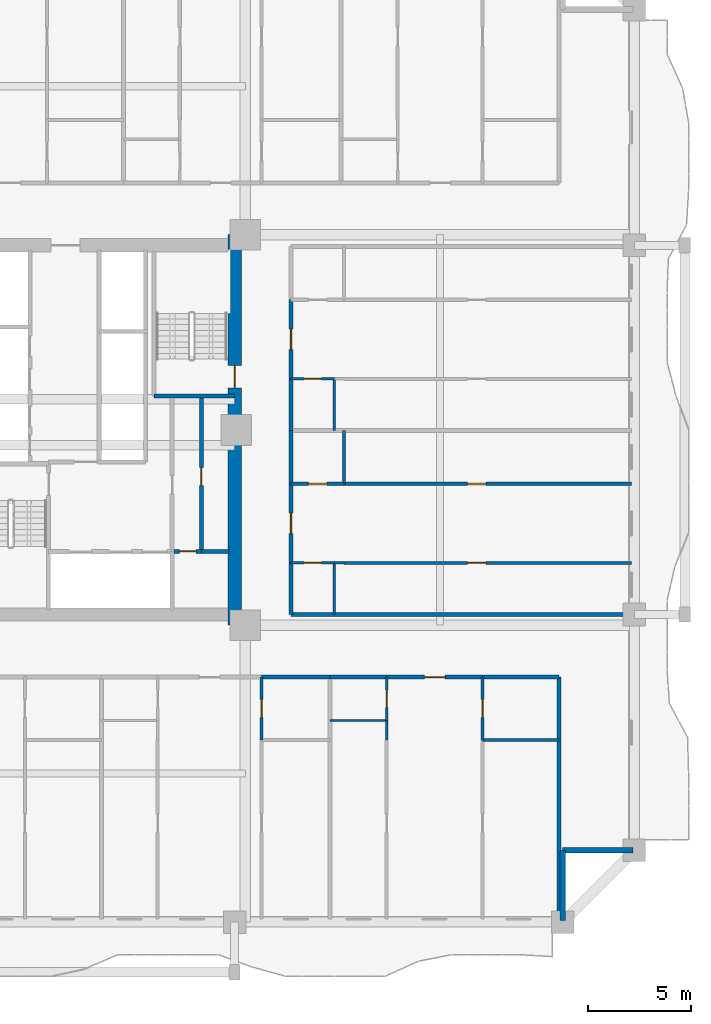
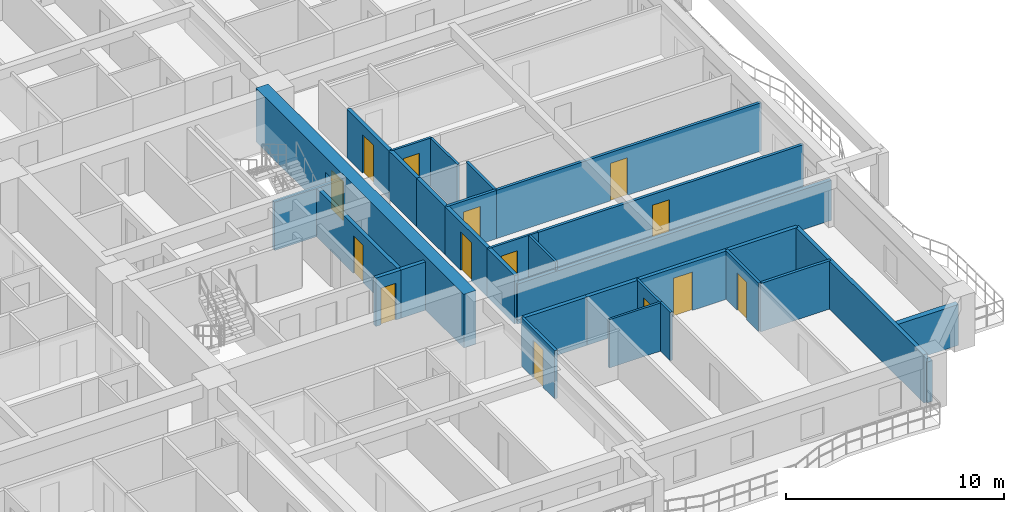
# One storey, part 5 of 15: 33 walls, 14 doors, 14 openings.
"""IFC4 building model written with IfcOpenShell, lengths in metres."""

from ifc_helpers import new_model, si_unit, direction, frame, frame_2d, origin, place, context, subcontext, project, spatial, rectangle, extrude, source, transform, mapped, material, layer, layer_set, type_object, element, fill, save


model = new_model("IFC4")

# Units and contexts
model_context = context("Model", 3, precision=1e-05, world=origin(), true_north=direction((0.0, 1.0)))
body_context = subcontext(model_context, "Body", "Model", "MODEL_VIEW")
ifc_project = project(units=[si_unit("LENGTHUNIT", "METRE"), si_unit("AREAUNIT", "SQUARE_METRE"), si_unit("VOLUMEUNIT", "CUBIC_METRE"), si_unit("PLANEANGLEUNIT", "RADIAN"), si_unit("MASSUNIT", "GRAM", prefix="KILO")], contexts=[model_context])

# Site, building, storey
site_placement = place(None, origin())
site = spatial("IfcSite", under=ifc_project, at=site_placement, CompositionType="ELEMENT")
building_placement = place(site_placement, origin())
building = spatial("IfcBuilding", under=site, at=building_placement, Name="Saelheon Loggia Tower", CompositionType="ELEMENT")
storey_placement = place(building_placement, frame((0.0, 0.0, 67.39990234375)))
storey = spatial("IfcBuildingStorey", under=building, at=storey_placement, Name="L21", CompositionType="ELEMENT", Elevation=67.39990234375)

# Wall, opening, door
ifc_material_1 = material(Name="Concrete C60/75", Category="concrete")
ifc_layer_1 = layer(ifc_material_1, 0.64990234375)
ifc_layer_set_1 = layer_set([ifc_layer_1], Name="Concrete C60/75")
wall_type_1 = type_object("IfcWallType", Name="Wall_CoreShear_650", PredefinedType="SHEAR", material=ifc_layer_set_1)
wall_1_placement = place(storey_placement, frame((44.5, 17.47998046875, 0.0), z_axis=(0.0, 0.0, 1.0), x_axis=(0.0, 1.0, 0.0)))
wall_1 = element("IfcWall", 1, at=wall_1_placement, inside=storey, type_object=wall_type_1, Name="L21 Core Shear Wall East", PredefinedType="SHEAR", context=body_context, shape_type="SweptSolid", body=[
    extrude(rectangle(XDim=19.0400390625, YDim=0.64990234375, at=frame_2d((9.52001953125, 0.0))), origin(), (0.0, 0.0, 1.0), 3.0),
])
opening_1_placement = place(wall_1_placement, frame((12.670166015625, 0.0, 0.0), z_axis=(0.0, 0.0, 1.0), x_axis=(-1.0, 0.0, 0.0)))
opening_1 = element("IfcOpeningElement", 2, at=opening_1_placement, cuts=wall_1, Name="Opening D-FD2", PredefinedType="OPENING", context=body_context, shape_type="SweptSolid", body=[
    extrude(rectangle(XDim=1.10009765625, YDim=2.14990234375, at=frame_2d((0.550048828125, 1.074951171875))), frame((0.0, 0.3369140625, 0.0), z_axis=(0.0, -1.0, 0.0), x_axis=(1.0, 0.0, 0.0)), (0.0, 0.0, 1.0), 0.673828125),
])
ifc_material_2 = material(Name="Galvanised Steel Fire Door", Category="steel")
door_type_1 = type_object("IfcDoorType", Name="Door_Fire_FD60_1100", OperationType="NOTDEFINED", PredefinedType="DOOR", material=ifc_material_2)
shared_shape_1 = source(origin(), body_context, "Body", "SweptSolid", [
    extrude(rectangle(XDim=1.10009765625, YDim=2.14990234375, at=frame_2d((0.550048828125, 1.074951171875))), frame((0.0, 0.02490234375, 0.0), z_axis=(0.0, -1.0, 0.0), x_axis=(1.0, 0.0, 0.0)), (0.0, 0.0, 1.0), 0.050048828125),
])
door_1_placement = place(opening_1_placement, origin())
door_1 = element("IfcDoor", 3, at=door_1_placement, inside=storey, type_object=door_type_1, Name="L21 Stair ST2 Corridor Door", OperationType="SINGLE_SWING_RIGHT", OverallHeight=2.14990234375, OverallWidth=1.10009765625, PredefinedType="DOOR", context=body_context, shape_type="MappedRepresentation", body=[
    mapped(shared_shape_1, transform((0.0, 0.0, 0.0), scale=1.0)),
])
fill(opening_1, door_1)

# Walls
ifc_material_3 = material(Name="Architectural Precast Concrete C40/50", Category="concrete")
ifc_layer_2 = layer(ifc_material_3, 0.280029296875)
ifc_layer_set_2 = layer_set([ifc_layer_2], Name="Architectural Precast Concrete C40/50")
wall_type_2 = type_object("IfcWallType", Name="Wall_Ext_Loggia_280", PredefinedType="SOLIDWALL", material=ifc_layer_set_2)
for number, where, z_axis, x_axis, name in (
    (4, (60.5, 3.080078125, 0.0), (0.0, 0.0, 1.0), (0.0, 1.0, 0.0), "L21 Corner Notch Precast Wall SE1"),
    (5, (60.5, 6.5, 0.0), (0.0, 0.0, 1.0), (1.0, 0.0, 0.0), "L21 Corner Notch Precast Wall SE2"),
):
    element("IfcWall", number, at=place(storey_placement, frame(where, z_axis=z_axis, x_axis=x_axis)), inside=storey, type_object=wall_type_2, Name=name, PredefinedType="SOLIDWALL", context=body_context, shape_type="SweptSolid", body=[
        extrude(rectangle(XDim=3.419921875, YDim=0.280029296875, at=frame_2d((1.7099609375, 0.0))), origin(), (0.0, 0.0, 1.0), 2.280029296875),
    ])

# Wall, opening, door
ifc_material_4 = material(Name="Lightweight Autoclaved Aerated Concrete Block and Acoustic Gypsum", Category="concrete")
ifc_layer_3 = layer(ifc_material_4, 0.14990234375)
ifc_layer_set_3 = layer_set([ifc_layer_3], Name="Lightweight Autoclaved Aerated Concrete Block and Acoustic Gypsum")
wall_type_3 = type_object("IfcWallType", Name="Wall_Part_150", PredefinedType="PARTITIONING", material=ifc_layer_set_3)
wall_2_placement = place(storey_placement, frame((45.820068359375, 14.949951171875, 0.0), z_axis=(0.0, 0.0, 1.0), x_axis=(0.0, -1.0, 0.0)))
wall_2 = element("IfcWall", 6, at=wall_2_placement, inside=storey, type_object=wall_type_3, Name="L21 S Partition U33", PredefinedType="PARTITIONING", context=body_context, shape_type="SweptSolid", body=[
    extrude(rectangle(XDim=3.070068359375, YDim=0.14990234375, at=frame_2d((1.53515625, 0.0))), origin(), (0.0, 0.0, 1.0), 2.7001953125),
])
opening_2_placement = place(wall_2_placement, frame((1.0849609375, 0.0, 0.0)))
opening_2 = element("IfcOpeningElement", 7, at=opening_2_placement, cuts=wall_2, Name="Opening D-IN2", PredefinedType="OPENING", context=body_context, shape_type="SweptSolid", body=[
    extrude(rectangle(XDim=0.89990234375, YDim=2.10009765625, at=frame_2d((0.449951171875, 1.050048828125))), frame((0.0, 0.0869140625, 0.0), z_axis=(0.0, -1.0, 0.0), x_axis=(1.0, 0.0, 0.0)), (0.0, 0.0, 1.0), 0.173828125),
])
ifc_material_5 = material(Name="Engineered Oak Flush Door", Category="timber")
door_type_2 = type_object("IfcDoorType", Name="Door_Int_900", OperationType="NOTDEFINED", PredefinedType="DOOR", material=ifc_material_5)
shared_shape_2 = source(origin(), body_context, "Body", "SweptSolid", [
    extrude(rectangle(XDim=0.89990234375, YDim=2.10009765625, at=frame_2d((0.449951171875, 1.050048828125))), frame((0.0, 0.02490234375, 0.0), z_axis=(0.0, -1.0, 0.0), x_axis=(1.0, 0.0, 0.0)), (0.0, 0.0, 1.0), 0.050048828125),
])
door_2_placement = place(opening_2_placement, origin())
door_2 = element("IfcDoor", 8, at=door_2_placement, inside=storey, type_object=door_type_2, Name="Unit U03 Dressing Closet Door", OperationType="SINGLE_SWING_LEFT", OverallHeight=2.10009765625, OverallWidth=0.89990234375, PredefinedType="DOOR", context=body_context, shape_type="MappedRepresentation", body=[
    mapped(shared_shape_2, transform((0.0, 0.0, 0.0), scale=1.0)),
])
fill(opening_2, door_2)

# Wall
wall_3_placement = place(storey_placement, frame((56.59716796875, 11.8798828125, 0.0), z_axis=(0.0, 0.0, 1.0), x_axis=(1.0, 0.0, 0.0)))
element("IfcWall", 9, at=wall_3_placement, inside=storey, type_object=wall_type_3, Name="L21 S Partition V40", PredefinedType="PARTITIONING", context=body_context, shape_type="SweptSolid", body=[
    extrude(rectangle(XDim=3.722900390625, YDim=0.14990234375, at=frame_2d((1.861328125, 0.0))), origin(), (0.0, 0.0, 1.0), 2.7001953125),
])

# Wall, opening, door
wall_4_placement = place(storey_placement, frame((56.59716796875, 14.949951171875, 0.0), z_axis=(0.0, 0.0, 1.0), x_axis=(0.0, -1.0, 0.0)))
wall_4 = element("IfcWall", 10, at=wall_4_placement, inside=storey, type_object=wall_type_3, Name="L21 S Partition U44", PredefinedType="PARTITIONING", context=body_context, shape_type="SweptSolid", body=[
    extrude(rectangle(XDim=3.070068359375, YDim=0.14990234375, at=frame_2d((1.53515625, 0.0))), origin(), (0.0, 0.0, 1.0), 2.7001953125),
])
opening_3_placement = place(wall_4_placement, frame((1.0849609375, 0.0, 0.0)))
opening_3 = element("IfcOpeningElement", 11, at=opening_3_placement, cuts=wall_4, Name="Opening D-IN2", PredefinedType="OPENING", context=body_context, shape_type="SweptSolid", body=[
    extrude(rectangle(XDim=0.89990234375, YDim=2.10009765625, at=frame_2d((0.449951171875, 1.050048828125))), frame((0.0, 0.0869140625, 0.0), z_axis=(0.0, -1.0, 0.0), x_axis=(1.0, 0.0, 0.0)), (0.0, 0.0, 1.0), 0.173828125),
])
door_3_placement = place(opening_3_placement, origin())
door_3 = element("IfcDoor", 12, at=door_3_placement, inside=storey, type_object=door_type_2, Name="Unit U04 Dressing Closet Door", OperationType="SINGLE_SWING_RIGHT", OverallHeight=2.10009765625, OverallWidth=0.89990234375, PredefinedType="DOOR", context=body_context, shape_type="MappedRepresentation", body=[
    mapped(shared_shape_2, transform((0.0, 0.0, 0.0), scale=1.0)),
])
fill(opening_3, door_3)

# Wall
wall_5_placement = place(storey_placement, frame((49.840087890625, 24.375, 0.0), z_axis=(0.0, 0.0, 1.0), x_axis=(0.0, 1.0, 0.0)))
element("IfcWall", 13, at=wall_5_placement, inside=storey, type_object=wall_type_3, Name="L21 E Partition V07", PredefinedType="PARTITIONING", context=body_context, shape_type="SweptSolid", body=[
    extrude(rectangle(XDim=2.60009765625, YDim=0.14990234375, at=frame_2d((1.300048828125, 0.0))), origin(), (0.0, 0.0, 1.0), 2.7001953125),
])

# Wall, opening, door
wall_6_placement = place(storey_placement, frame((49.840087890625, 20.512939453125, 0.0), z_axis=(0.0, 0.0, 1.0), x_axis=(1.0, 0.0, 0.0)))
wall_6 = element("IfcWall", 14, at=wall_6_placement, inside=storey, type_object=wall_type_3, Name="L21 E Partition U10", PredefinedType="PARTITIONING", context=body_context, shape_type="SweptSolid", body=[
    extrude(rectangle(XDim=14.010009765625, YDim=0.14990234375, at=frame_2d((7.0048828125, 0.0))), origin(), (0.0, 0.0, 1.0), 2.7001953125),
])
opening_4_placement = place(wall_6_placement, frame((6.02880859375, 0.0, 0.0)))
opening_4 = element("IfcOpeningElement", 15, at=opening_4_placement, cuts=wall_6, Name="Opening D-IN2", PredefinedType="OPENING", context=body_context, shape_type="SweptSolid", body=[
    extrude(rectangle(XDim=0.89990234375, YDim=2.10009765625, at=frame_2d((0.449951171875, 1.050048828125))), frame((0.0, 0.0869140625, 0.0), z_axis=(0.0, -1.0, 0.0), x_axis=(1.0, 0.0, 0.0)), (0.0, 0.0, 1.0), 0.173828125),
])
door_4_placement = place(opening_4_placement, origin())
door_4 = element("IfcDoor", 16, at=door_4_placement, inside=storey, type_object=door_type_2, Name="Unit U11 Kitchen Door", OperationType="SINGLE_SWING_LEFT", OverallHeight=2.10009765625, OverallWidth=0.89990234375, PredefinedType="DOOR", context=body_context, shape_type="MappedRepresentation", body=[
    mapped(shared_shape_2, transform((0.0, 0.0, 0.0), scale=1.0)),
])
fill(opening_4, door_4)

wall_7_placement = place(storey_placement, frame((47.25, 24.375, 0.0), z_axis=(0.0, 0.0, 1.0), x_axis=(1.0, 0.0, 0.0)))
wall_7 = element("IfcWall", 17, at=wall_7_placement, inside=storey, type_object=wall_type_3, Name="L21 E Partition U11", PredefinedType="PARTITIONING", context=body_context, shape_type="SweptSolid", body=[
    extrude(rectangle(XDim=2.590087890625, YDim=0.14990234375, at=frame_2d((1.294921875, 0.0))), origin(), (0.0, 0.0, 1.0), 2.7001953125),
])
opening_5_placement = place(wall_7_placement, frame((0.844970703125, 0.0, 0.0)))
opening_5 = element("IfcOpeningElement", 18, at=opening_5_placement, cuts=wall_7, Name="Opening D-IN2", PredefinedType="OPENING", context=body_context, shape_type="SweptSolid", body=[
    extrude(rectangle(XDim=0.89990234375, YDim=2.10009765625, at=frame_2d((0.449951171875, 1.050048828125))), frame((0.0, 0.0869140625, 0.0), z_axis=(0.0, -1.0, 0.0), x_axis=(1.0, 0.0, 0.0)), (0.0, 0.0, 1.0), 0.173828125),
])
door_5_placement = place(opening_5_placement, origin())
door_5 = element("IfcDoor", 19, at=door_5_placement, inside=storey, type_object=door_type_2, Name="Unit U11 Dressing Closet Door", OperationType="SINGLE_SWING_RIGHT", OverallHeight=2.10009765625, OverallWidth=0.89990234375, PredefinedType="DOOR", context=body_context, shape_type="MappedRepresentation", body=[
    mapped(shared_shape_2, transform((0.0, 0.0, 0.0), scale=1.0)),
])
fill(opening_5, door_5)

wall_8_placement = place(storey_placement, frame((49.840087890625, 24.375, 0.0), z_axis=(0.0, 0.0, 1.0), x_axis=(1.0, 0.0, 0.0)))
wall_8 = element("IfcWall", 20, at=wall_8_placement, inside=storey, type_object=wall_type_3, Name="L21 E Partition U12", PredefinedType="PARTITIONING", context=body_context, shape_type="SweptSolid", body=[
    extrude(rectangle(XDim=14.010009765625, YDim=0.14990234375, at=frame_2d((7.0048828125, 0.0))), origin(), (0.0, 0.0, 1.0), 2.7001953125),
])
opening_6_placement = place(wall_8_placement, frame((6.02880859375, 0.0, 0.0)))
opening_6 = element("IfcOpeningElement", 21, at=opening_6_placement, cuts=wall_8, Name="Opening D-IN2", PredefinedType="OPENING", context=body_context, shape_type="SweptSolid", body=[
    extrude(rectangle(XDim=0.89990234375, YDim=2.10009765625, at=frame_2d((0.449951171875, 1.050048828125))), frame((0.0, 0.0869140625, 0.0), z_axis=(0.0, -1.0, 0.0), x_axis=(1.0, 0.0, 0.0)), (0.0, 0.0, 1.0), 0.173828125),
])
door_6_placement = place(opening_6_placement, origin())
door_6 = element("IfcDoor", 22, at=door_6_placement, inside=storey, type_object=door_type_2, Name="Unit U11 Bedroom 1 Door", OperationType="SINGLE_SWING_LEFT", OverallHeight=2.10009765625, OverallWidth=0.89990234375, PredefinedType="DOOR", context=body_context, shape_type="MappedRepresentation", body=[
    mapped(shared_shape_2, transform((0.0, 0.0, 0.0), scale=1.0)),
])
fill(opening_6, door_6)

# Walls
ifc_material_6 = material(Name="Double Acoustic Stud and Fireboard Partition", Category="gypsum")
ifc_layer_4 = layer(ifc_material_6, 0.199951171875)
ifc_layer_set_4 = layer_set([ifc_layer_4], Name="Double Acoustic Stud and Fireboard Partition")
wall_type_4 = type_object("IfcWallType", Name="Wall_Party_200", PredefinedType="PARTITIONING", material=ifc_layer_set_4)
wall_9_placement = place(storey_placement, frame((60.320068359375, 14.949951171875, 0.0), z_axis=(0.0, 0.0, 1.0), x_axis=(0.0, -1.0, 0.0)))
element("IfcWall", 23, at=wall_9_placement, inside=storey, type_object=wall_type_4, Name="L21 S Partition U02", PredefinedType="PARTITIONING", context=body_context, shape_type="SweptSolid", body=[
    extrude(rectangle(XDim=11.800048828125, YDim=0.199951171875, at=frame_2d((5.89990234375, 0.0))), origin(), (0.0, 0.0, 1.0), 2.7001953125),
])
wall_10_placement = place(storey_placement, frame((45.820068359375, 14.949951171875, 0.0), z_axis=(0.0, 0.0, 1.0), x_axis=(1.0, 0.0, 0.0)))
element("IfcWall", 24, at=wall_10_placement, inside=storey, type_object=wall_type_4, Name="L21 S Partition V27", PredefinedType="PARTITIONING", context=body_context, shape_type="SweptSolid", body=[
    extrude(rectangle(XDim=3.33984375, YDim=0.199951171875, at=frame_2d((1.669921875, 0.0))), origin(), (0.0, 0.0, 1.0), 2.7001953125),
])
wall_11_placement = place(storey_placement, frame((49.159912109375, 14.949951171875, 0.0), z_axis=(0.0, 0.0, 1.0), x_axis=(1.0, 0.0, 0.0)))
element("IfcWall", 25, at=wall_11_placement, inside=storey, type_object=wall_type_4, Name="L21 S Partition V36", PredefinedType="PARTITIONING", context=body_context, shape_type="SweptSolid", body=[
    extrude(rectangle(XDim=2.75, YDim=0.199951171875, at=frame_2d((1.375, 0.0))), origin(), (0.0, 0.0, 1.0), 2.7001953125),
])

# Wall, opening, door
wall_12_placement = place(storey_placement, frame((51.909912109375, 14.949951171875, 0.0), z_axis=(0.0, 0.0, 1.0), x_axis=(1.0, 0.0, 0.0)))
wall_12 = element("IfcWall", 26, at=wall_12_placement, inside=storey, type_object=wall_type_4, Name="L21 S Partition V37", PredefinedType="PARTITIONING", context=body_context, shape_type="SweptSolid", body=[
    extrude(rectangle(XDim=4.687255859375, YDim=0.199951171875, at=frame_2d((2.34375, 0.0))), origin(), (0.0, 0.0, 1.0), 2.7001953125),
])
opening_7_placement = place(wall_12_placement, frame((1.843505859375, 0.0, 0.0)))
opening_7 = element("IfcOpeningElement", 27, at=opening_7_placement, cuts=wall_12, Name="Opening D-FD1", PredefinedType="OPENING", context=body_context, shape_type="SweptSolid", body=[
    extrude(rectangle(XDim=1.0, YDim=2.14990234375, at=frame_2d((0.5, 1.074951171875))), frame((0.0, 0.112060546875, 0.0), z_axis=(0.0, -1.0, 0.0), x_axis=(1.0, 0.0, 0.0)), (0.0, 0.0, 1.0), 0.223876953125),
])
ifc_material_7 = material(Name="Fire-Rated Engineered Timber Entrance Door", Category="wood")
door_type_3 = type_object("IfcDoorType", Name="Door_Flat_FD30S", OperationType="NOTDEFINED", PredefinedType="DOOR", material=ifc_material_7)
shared_shape_3 = source(origin(), body_context, "Body", "SweptSolid", [
    extrude(rectangle(XDim=1.0, YDim=2.14990234375, at=frame_2d((0.5, 1.074951171875))), frame((0.0, 0.02490234375, 0.0), z_axis=(0.0, -1.0, 0.0), x_axis=(1.0, 0.0, 0.0)), (0.0, 0.0, 1.0), 0.050048828125),
])
door_7_placement = place(opening_7_placement, origin())
door_7 = element("IfcDoor", 28, at=door_7_placement, inside=storey, type_object=door_type_3, Name="Unit U04 Entrance Door", OperationType="SINGLE_SWING_LEFT", OverallHeight=2.14990234375, OverallWidth=1.0, PredefinedType="DOOR", context=body_context, shape_type="MappedRepresentation", body=[
    mapped(shared_shape_3, transform((0.0, 0.0, 0.0), scale=1.0)),
])
fill(opening_7, door_7)

# Walls
wall_13_placement = place(storey_placement, frame((56.59716796875, 14.949951171875, 0.0), z_axis=(0.0, 0.0, 1.0), x_axis=(1.0, 0.0, 0.0)))
element("IfcWall", 29, at=wall_13_placement, inside=storey, type_object=wall_type_4, Name="L21 S Partition V38", PredefinedType="PARTITIONING", context=body_context, shape_type="SweptSolid", body=[
    extrude(rectangle(XDim=3.722900390625, YDim=0.199951171875, at=frame_2d((1.861328125, 0.0))), origin(), (0.0, 0.0, 1.0), 2.7001953125),
])
wall_14_placement = place(storey_placement, frame((47.25, 18.0, 0.0), z_axis=(0.0, 0.0, 1.0), x_axis=(1.0, 0.0, 0.0)))
element("IfcWall", 30, at=wall_14_placement, inside=storey, type_object=wall_type_4, Name="L21 E Partition U01", PredefinedType="PARTITIONING", context=body_context, shape_type="SweptSolid", body=[
    extrude(rectangle(XDim=16.60009765625, YDim=0.199951171875, at=frame_2d((8.300048828125, 0.0))), origin(), (0.0, 0.0, 1.0), 2.239990234375),
])
wall_15_placement = place(storey_placement, frame((47.25, 18.0, 0.0), z_axis=(0.0, 0.0, 1.0), x_axis=(0.0, 1.0, 0.0)))
element("IfcWall", 31, at=wall_15_placement, inside=storey, type_object=wall_type_4, Name="L21 E Partition V03", PredefinedType="PARTITIONING", context=body_context, shape_type="SweptSolid", body=[
    extrude(rectangle(XDim=2.512939453125, YDim=0.199951171875, at=frame_2d((1.25634765625, 0.0))), origin(), (0.0, 0.0, 1.0), 2.7001953125),
])

# Wall, opening, door
wall_16_placement = place(storey_placement, frame((47.25, 20.512939453125, 0.0), z_axis=(0.0, 0.0, 1.0), x_axis=(0.0, 1.0, 0.0)))
wall_16 = element("IfcWall", 32, at=wall_16_placement, inside=storey, type_object=wall_type_4, Name="L21 E Partition V04", PredefinedType="PARTITIONING", context=body_context, shape_type="SweptSolid", body=[
    extrude(rectangle(XDim=3.862060546875, YDim=0.199951171875, at=frame_2d((1.93115234375, 0.0))), origin(), (0.0, 0.0, 1.0), 2.7001953125),
])
opening_8_placement = place(wall_16_placement, frame((1.430908203125, 0.0, 0.0)))
opening_8 = element("IfcOpeningElement", 33, at=opening_8_placement, cuts=wall_16, Name="Opening D-FD1", PredefinedType="OPENING", context=body_context, shape_type="SweptSolid", body=[
    extrude(rectangle(XDim=1.0, YDim=2.14990234375, at=frame_2d((0.5, 1.074951171875))), frame((0.0, 0.112060546875, 0.0), z_axis=(0.0, -1.0, 0.0), x_axis=(1.0, 0.0, 0.0)), (0.0, 0.0, 1.0), 0.223876953125),
])
door_8_placement = place(opening_8_placement, origin())
door_8 = element("IfcDoor", 34, at=door_8_placement, inside=storey, type_object=door_type_3, Name="Unit U11 Entrance Door", OperationType="SINGLE_SWING_LEFT", OverallHeight=2.14990234375, OverallWidth=1.0, PredefinedType="DOOR", context=body_context, shape_type="MappedRepresentation", body=[
    mapped(shared_shape_3, transform((0.0, 0.0, 0.0), scale=1.0)),
])
fill(opening_8, door_8)

# Walls
wall_17_placement = place(storey_placement, frame((47.25, 24.375, 0.0), z_axis=(0.0, 0.0, 1.0), x_axis=(0.0, 1.0, 0.0)))
element("IfcWall", 35, at=wall_17_placement, inside=storey, type_object=wall_type_4, Name="L21 E Partition V05", PredefinedType="PARTITIONING", context=body_context, shape_type="SweptSolid", body=[
    extrude(rectangle(XDim=2.60009765625, YDim=0.199951171875, at=frame_2d((1.300048828125, 0.0))), origin(), (0.0, 0.0, 1.0), 2.7001953125),
])
wall_18_placement = place(storey_placement, frame((47.25, 26.97509765625, 0.0), z_axis=(0.0, 0.0, 1.0), x_axis=(0.0, 1.0, 0.0)))
element("IfcWall", 36, at=wall_18_placement, inside=storey, type_object=wall_type_4, Name="L21 E Partition V14", PredefinedType="PARTITIONING", context=body_context, shape_type="SweptSolid", body=[
    extrude(rectangle(XDim=2.512939453125, YDim=0.199951171875, at=frame_2d((1.25634765625, 0.0))), origin(), (0.0, 0.0, 1.0), 2.7001953125),
])

# Wall, opening, door
wall_19_placement = place(storey_placement, frame((47.25, 29.488037109375, 0.0), z_axis=(0.0, 0.0, 1.0), x_axis=(0.0, 1.0, 0.0)))
wall_19 = element("IfcWall", 37, at=wall_19_placement, inside=storey, type_object=wall_type_4, Name="L21 E Partition V15", PredefinedType="PARTITIONING", context=body_context, shape_type="SweptSolid", body=[
    extrude(rectangle(XDim=3.862060546875, YDim=0.199951171875, at=frame_2d((1.93115234375, 0.0))), origin(), (0.0, 0.0, 1.0), 2.7001953125),
])
opening_9_placement = place(wall_19_placement, frame((1.430908203125, 0.0, 0.0)))
opening_9 = element("IfcOpeningElement", 38, at=opening_9_placement, cuts=wall_19, Name="Opening D-FD1", PredefinedType="OPENING", context=body_context, shape_type="SweptSolid", body=[
    extrude(rectangle(XDim=1.0, YDim=2.14990234375, at=frame_2d((0.5, 1.074951171875))), frame((0.0, 0.112060546875, 0.0), z_axis=(0.0, -1.0, 0.0), x_axis=(1.0, 0.0, 0.0)), (0.0, 0.0, 1.0), 0.223876953125),
])
door_9_placement = place(opening_9_placement, origin())
door_9 = element("IfcDoor", 39, at=door_9_placement, inside=storey, type_object=door_type_3, Name="Unit U12 Entrance Door", OperationType="SINGLE_SWING_RIGHT", OverallHeight=2.14990234375, OverallWidth=1.0, PredefinedType="DOOR", context=body_context, shape_type="MappedRepresentation", body=[
    mapped(shared_shape_3, transform((0.0, 0.0, 0.0), scale=1.0)),
])
fill(opening_9, door_9)

ifc_material_8 = material(Name="Concrete C40/50", Category="concrete")
ifc_layer_5 = layer(ifc_material_8, 0.199951171875)
ifc_layer_set_5 = layer_set([ifc_layer_5], Name="Concrete C40/50")
wall_type_5 = type_object("IfcWallType", Name="Wall_Shaft_200", PredefinedType="PARTITIONING", material=ifc_layer_set_5)
wall_20_placement = place(storey_placement, frame((41.550048828125, 21.080078125, 0.0), z_axis=(0.0, 0.0, 1.0), x_axis=(1.0, 0.0, 0.0)))
wall_20 = element("IfcWall", 40, at=wall_20_placement, inside=storey, type_object=wall_type_5, Name="CW-BOH-L21-HS", PredefinedType="PARTITIONING", context=body_context, shape_type="SweptSolid", body=[
    extrude(rectangle(XDim=1.329833984375, YDim=0.199951171875, at=frame_2d((0.6650390625, 0.0))), origin(), (0.0, 0.0, 1.0), 2.7001953125),
])
opening_10_placement = place(wall_20_placement, frame((0.260009765625, 0.0, 0.0)))
opening_10 = element("IfcOpeningElement", 41, at=opening_10_placement, cuts=wall_20, Name="Opening D-ST1", PredefinedType="OPENING", context=body_context, shape_type="SweptSolid", body=[
    extrude(rectangle(XDim=0.800048828125, YDim=2.050048828125, at=frame_2d((0.39990234375, 1.02490234375))), frame((0.0, 0.112060546875, 0.0), z_axis=(0.0, -1.0, 0.0), x_axis=(1.0, 0.0, 0.0)), (0.0, 0.0, 1.0), 0.223876953125),
])
ifc_material_9 = material(Name="Powder-Coated Steel Store Door", Category="steel")
door_type_4 = type_object("IfcDoorType", Name="Door_Store_800", OperationType="NOTDEFINED", PredefinedType="DOOR", material=ifc_material_9)
shared_shape_4 = source(origin(), body_context, "Body", "SweptSolid", [
    extrude(rectangle(XDim=0.800048828125, YDim=2.050048828125, at=frame_2d((0.39990234375, 1.02490234375))), frame((0.0, 0.02490234375, 0.0), z_axis=(0.0, -1.0, 0.0), x_axis=(1.0, 0.0, 0.0)), (0.0, 0.0, 1.0), 0.050048828125),
])
door_10_placement = place(opening_10_placement, origin())
door_10 = element("IfcDoor", 42, at=door_10_placement, inside=storey, type_object=door_type_4, Name="L21 Electrical Riser Door", OperationType="SINGLE_SWING_LEFT", OverallHeight=2.050048828125, OverallWidth=0.800048828125, PredefinedType="DOOR", context=body_context, shape_type="MappedRepresentation", body=[
    mapped(shared_shape_4, transform((0.0, 0.0, 0.0), scale=1.0)),
])
fill(opening_10, door_10)

# Wall
wall_21_placement = place(storey_placement, frame((42.8798828125, 21.080078125, 0.0), z_axis=(0.0, 0.0, 1.0), x_axis=(1.0, 0.0, 0.0)))
element("IfcWall", 43, at=wall_21_placement, inside=storey, type_object=wall_type_5, Name="CW-BOH-L21-HS2", PredefinedType="PARTITIONING", context=body_context, shape_type="SweptSolid", body=[
    extrude(rectangle(XDim=1.340087890625, YDim=0.199951171875, at=frame_2d((0.669921875, 0.0))), origin(), (0.0, 0.0, 1.0), 2.7001953125),
])

# Wall, opening, door
wall_22_placement = place(storey_placement, frame((42.8798828125, 21.080078125, 0.0), z_axis=(0.0, 0.0, 1.0), x_axis=(0.0, 1.0, 0.0)))
wall_22 = element("IfcWall", 44, at=wall_22_placement, inside=storey, type_object=wall_type_5, Name="CW-BOH-L21-VS", PredefinedType="PARTITIONING", context=body_context, shape_type="SweptSolid", body=[
    extrude(rectangle(XDim=7.469970703125, YDim=0.199951171875, at=frame_2d((3.73486328125, 0.0))), origin(), (0.0, 0.0, 1.0), 2.7001953125),
])
opening_11_placement = place(wall_22_placement, frame((3.199951171875, 0.0, 0.0)))
opening_11 = element("IfcOpeningElement", 45, at=opening_11_placement, cuts=wall_22, Name="Opening D-RS1", PredefinedType="OPENING", context=body_context, shape_type="SweptSolid", body=[
    extrude(rectangle(XDim=0.89990234375, YDim=2.10009765625, at=frame_2d((0.449951171875, 1.050048828125))), frame((0.0, 0.112060546875, 0.0), z_axis=(0.0, -1.0, 0.0), x_axis=(1.0, 0.0, 0.0)), (0.0, 0.0, 1.0), 0.223876953125),
])
ifc_material_10 = material(Name="Galvanised Steel Riser Access Door", Category="steel")
door_type_5 = type_object("IfcDoorType", Name="Door_Riser_FD60", OperationType="NOTDEFINED", PredefinedType="DOOR", material=ifc_material_10)
door_11_placement = place(opening_11_placement, origin())
door_11 = element("IfcDoor", 46, at=door_11_placement, inside=storey, type_object=door_type_5, Name="L21 Linen Store Door", OperationType="SINGLE_SWING_RIGHT", OverallHeight=2.10009765625, OverallWidth=0.89990234375, PredefinedType="DOOR", context=body_context, shape_type="MappedRepresentation", body=[
    mapped(shared_shape_2, transform((0.0, 0.0, 0.0), scale=1.0)),
])
fill(opening_11, door_11)

# Walls
ifc_material_11 = material(Name="Concrete C45/55", Category="concrete")
ifc_layer_6 = layer(ifc_material_11, 0.199951171875)
ifc_layer_set_6 = layer_set([ifc_layer_6], Name="Concrete C45/55")
wall_type_6 = type_object("IfcWallType", Name="Wall_StairShaft_RC200", PredefinedType="SOLIDWALL", material=ifc_layer_set_6)
wall_23_placement = place(storey_placement, frame((40.570068359375, 28.64990234375, 0.0), z_axis=(0.0, 0.0, 1.0), x_axis=(1.0, 0.0, 0.0)))
element("IfcWall", 47, at=wall_23_placement, inside=storey, type_object=wall_type_6, Name="L21 Stair ST2 South Wall", PredefinedType="SOLIDWALL", context=body_context, shape_type="SweptSolid", body=[
    extrude(rectangle(XDim=3.929931640625, YDim=0.199951171875, at=frame_2d((1.96484375, 0.0))), origin(), (0.0, 0.0, 1.0), 2.7001953125),
])
ifc_material_12 = material(Name="Moisture-Resistant Cement Board Partition", Category="gypsum")
ifc_layer_7 = layer(ifc_material_12, 0.1201171875)
ifc_layer_set_7 = layer_set([ifc_layer_7], Name="Moisture-Resistant Cement Board Partition")
wall_type_7 = type_object("IfcWallType", Name="Wall_WetPart_120", PredefinedType="PARTITIONING", material=ifc_layer_set_7)
wall_24_placement = place(storey_placement, frame((49.159912109375, 12.830078125, 0.0), z_axis=(0.0, 0.0, 1.0), x_axis=(1.0, 0.0, 0.0)))
element("IfcWall", 48, at=wall_24_placement, inside=storey, type_object=wall_type_7, Name="L21 S Partition V39", PredefinedType="PARTITIONING", context=body_context, shape_type="SweptSolid", body=[
    extrude(rectangle(XDim=2.75, YDim=0.1201171875, at=frame_2d((1.375, 0.0))), origin(), (0.0, 0.0, 1.0), 2.7001953125),
])

# Wall, opening, door
wall_25_placement = place(storey_placement, frame((51.909912109375, 14.949951171875, 0.0), z_axis=(0.0, 0.0, 1.0), x_axis=(0.0, -1.0, 0.0)))
wall_25 = element("IfcWall", 49, at=wall_25_placement, inside=storey, type_object=wall_type_7, Name="L21 S Partition U41", PredefinedType="PARTITIONING", context=body_context, shape_type="SweptSolid", body=[
    extrude(rectangle(XDim=2.119873046875, YDim=0.1201171875, at=frame_2d((1.06005859375, 0.0))), origin(), (0.0, 0.0, 1.0), 2.7001953125),
])
opening_12_placement = place(wall_25_placement, frame((0.635009765625, 0.0, 0.0)))
opening_12 = element("IfcOpeningElement", 50, at=opening_12_placement, cuts=wall_25, Name="Opening D-BT1", PredefinedType="OPENING", context=body_context, shape_type="SweptSolid", body=[
    extrude(rectangle(XDim=0.85009765625, YDim=2.050048828125, at=frame_2d((0.425048828125, 1.02490234375))), frame((0.0, 0.072021484375, 0.0), z_axis=(0.0, -1.0, 0.0), x_axis=(1.0, 0.0, 0.0)), (0.0, 0.0, 1.0), 0.14404296875),
])
ifc_material_13 = material(Name="Moisture-Resistant Laminate Timber Door", Category="wood")
door_type_6 = type_object("IfcDoorType", Name="Door_Bath_850", OperationType="NOTDEFINED", PredefinedType="DOOR", material=ifc_material_13)
shared_shape_5 = source(origin(), body_context, "Body", "SweptSolid", [
    extrude(rectangle(XDim=0.85009765625, YDim=2.050048828125, at=frame_2d((0.425048828125, 1.02490234375))), frame((0.0, 0.02490234375, 0.0), z_axis=(0.0, -1.0, 0.0), x_axis=(1.0, 0.0, 0.0)), (0.0, 0.0, 1.0), 0.050048828125),
])
door_12_placement = place(opening_12_placement, origin())
door_12 = element("IfcDoor", 51, at=door_12_placement, inside=storey, type_object=door_type_6, Name="Unit U04 Bathroom Door", OperationType="SINGLE_SWING_RIGHT", OverallHeight=2.050048828125, OverallWidth=0.85009765625, PredefinedType="DOOR", context=body_context, shape_type="MappedRepresentation", body=[
    mapped(shared_shape_5, transform((0.0, 0.0, 0.0), scale=1.0)),
])
fill(opening_12, door_12)

# Walls
wall_26_placement = place(storey_placement, frame((51.909912109375, 12.830078125, 0.0), z_axis=(0.0, 0.0, 1.0), x_axis=(0.0, -1.0, 0.0)))
element("IfcWall", 52, at=wall_26_placement, inside=storey, type_object=wall_type_7, Name="L21 S Partition U42", PredefinedType="PARTITIONING", context=body_context, shape_type="SweptSolid", body=[
    extrude(rectangle(XDim=0.9501953125, YDim=0.1201171875, at=frame_2d((0.47509765625, 0.0))), origin(), (0.0, 0.0, 1.0), 2.7001953125),
])
wall_27_placement = place(storey_placement, frame((49.3701171875, 18.0, 0.0), z_axis=(0.0, 0.0, 1.0), x_axis=(0.0, 1.0, 0.0)))
element("IfcWall", 53, at=wall_27_placement, inside=storey, type_object=wall_type_7, Name="L21 E Partition V06", PredefinedType="PARTITIONING", context=body_context, shape_type="SweptSolid", body=[
    extrude(rectangle(XDim=2.512939453125, YDim=0.1201171875, at=frame_2d((1.25634765625, 0.0))), origin(), (0.0, 0.0, 1.0), 2.7001953125),
])

# Wall, opening, door
wall_28_placement = place(storey_placement, frame((47.25, 20.512939453125, 0.0), z_axis=(0.0, 0.0, 1.0), x_axis=(1.0, 0.0, 0.0)))
wall_28 = element("IfcWall", 54, at=wall_28_placement, inside=storey, type_object=wall_type_7, Name="L21 E Partition U08", PredefinedType="PARTITIONING", context=body_context, shape_type="SweptSolid", body=[
    extrude(rectangle(XDim=2.1201171875, YDim=0.1201171875, at=frame_2d((1.06005859375, 0.0))), origin(), (0.0, 0.0, 1.0), 2.7001953125),
])
opening_13_placement = place(wall_28_placement, frame((0.635009765625, 0.0, 0.0)))
opening_13 = element("IfcOpeningElement", 55, at=opening_13_placement, cuts=wall_28, Name="Opening D-BT1", PredefinedType="OPENING", context=body_context, shape_type="SweptSolid", body=[
    extrude(rectangle(XDim=0.85009765625, YDim=2.050048828125, at=frame_2d((0.425048828125, 1.02490234375))), frame((0.0, 0.072021484375, 0.0), z_axis=(0.0, -1.0, 0.0), x_axis=(1.0, 0.0, 0.0)), (0.0, 0.0, 1.0), 0.14404296875),
])
door_13_placement = place(opening_13_placement, origin())
door_13 = element("IfcDoor", 56, at=door_13_placement, inside=storey, type_object=door_type_6, Name="Unit U11 Bathroom Door", OperationType="SINGLE_SWING_RIGHT", OverallHeight=2.050048828125, OverallWidth=0.85009765625, PredefinedType="DOOR", context=body_context, shape_type="MappedRepresentation", body=[
    mapped(shared_shape_5, transform((0.0, 0.0, 0.0), scale=1.0)),
])
fill(opening_13, door_13)

# Walls
wall_29_placement = place(storey_placement, frame((49.3701171875, 20.512939453125, 0.0), z_axis=(0.0, 0.0, 1.0), x_axis=(1.0, 0.0, 0.0)))
element("IfcWall", 57, at=wall_29_placement, inside=storey, type_object=wall_type_7, Name="L21 E Partition U09", PredefinedType="PARTITIONING", context=body_context, shape_type="SweptSolid", body=[
    extrude(rectangle(XDim=0.469970703125, YDim=0.1201171875, at=frame_2d((0.23486328125, 0.0))), origin(), (0.0, 0.0, 1.0), 2.7001953125),
])
wall_30_placement = place(storey_placement, frame((49.3701171875, 26.97509765625, 0.0), z_axis=(0.0, 0.0, 1.0), x_axis=(0.0, 1.0, 0.0)))
element("IfcWall", 58, at=wall_30_placement, inside=storey, type_object=wall_type_7, Name="L21 E Partition V17", PredefinedType="PARTITIONING", context=body_context, shape_type="SweptSolid", body=[
    extrude(rectangle(XDim=2.512939453125, YDim=0.1201171875, at=frame_2d((1.25634765625, 0.0))), origin(), (0.0, 0.0, 1.0), 2.7001953125),
])

# Wall, opening, door
wall_31_placement = place(storey_placement, frame((47.25, 29.488037109375, 0.0), z_axis=(0.0, 0.0, 1.0), x_axis=(1.0, 0.0, 0.0)))
wall_31 = element("IfcWall", 59, at=wall_31_placement, inside=storey, type_object=wall_type_7, Name="L21 E Partition U19", PredefinedType="PARTITIONING", context=body_context, shape_type="SweptSolid", body=[
    extrude(rectangle(XDim=2.1201171875, YDim=0.1201171875, at=frame_2d((1.06005859375, 0.0))), origin(), (0.0, 0.0, 1.0), 2.7001953125),
])
opening_14_placement = place(wall_31_placement, frame((0.635009765625, 0.0, 0.0)))
opening_14 = element("IfcOpeningElement", 60, at=opening_14_placement, cuts=wall_31, Name="Opening D-BT1", PredefinedType="OPENING", context=body_context, shape_type="SweptSolid", body=[
    extrude(rectangle(XDim=0.85009765625, YDim=2.050048828125, at=frame_2d((0.425048828125, 1.02490234375))), frame((0.0, 0.072021484375, 0.0), z_axis=(0.0, -1.0, 0.0), x_axis=(1.0, 0.0, 0.0)), (0.0, 0.0, 1.0), 0.14404296875),
])
door_14_placement = place(opening_14_placement, origin())
door_14 = element("IfcDoor", 61, at=door_14_placement, inside=storey, type_object=door_type_6, Name="Unit U12 Bathroom Door", OperationType="SINGLE_SWING_LEFT", OverallHeight=2.050048828125, OverallWidth=0.85009765625, PredefinedType="DOOR", context=body_context, shape_type="MappedRepresentation", body=[
    mapped(shared_shape_5, transform((0.0, 0.0, 0.0), scale=1.0)),
])
fill(opening_14, door_14)

save(model, "model.ifc")
